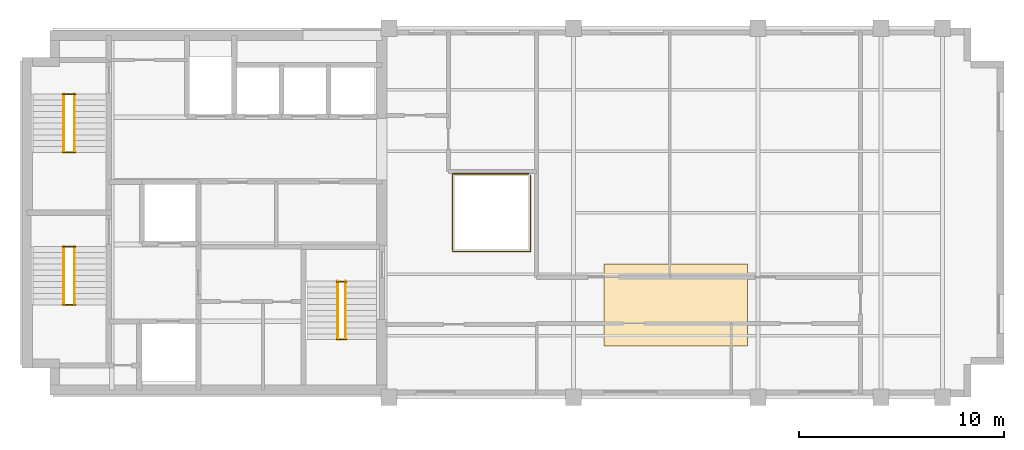
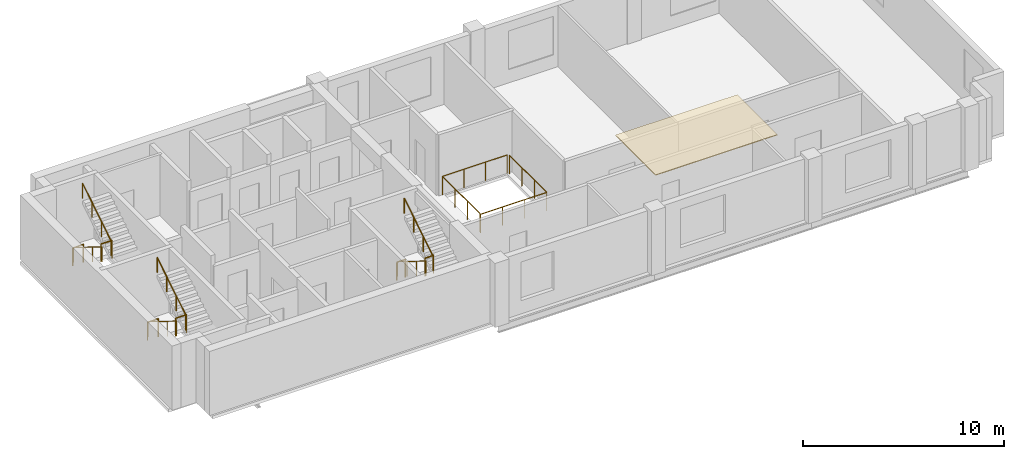
# One storey, part 5 of 5: 14 railings, 1 covering.
"""IFC4 building model written with IfcOpenShell, lengths in metres."""

from ifc_helpers import new_model, si_unit, direction, frame, origin, origin_2d, place, context, subcontext, project, spatial, polyline, circle, outline, extrude, material, layer, layer_set, type_object, element, save


model = new_model("IFC4")

# Units and contexts
model_context = context("Model", 3, precision=1e-05, world=origin(), true_north=direction((0.0, 1.0)))
body_context = subcontext(model_context, "Body", "Model", "MODEL_VIEW")
ifc_project = project(units=[si_unit("LENGTHUNIT", "METRE"), si_unit("AREAUNIT", "SQUARE_METRE"), si_unit("VOLUMEUNIT", "CUBIC_METRE"), si_unit("PLANEANGLEUNIT", "RADIAN"), si_unit("MASSUNIT", "GRAM", prefix="KILO")], contexts=[model_context])

# Site, building, storey
site_placement = place(None, origin())
site = spatial("IfcSite", under=ifc_project, at=site_placement, CompositionType="ELEMENT")
building_placement = place(site_placement, origin())
building = spatial("IfcBuilding", under=site, at=building_placement, Name="Mawjdan Bourse Tower", CompositionType="ELEMENT")
storey_placement = place(building_placement, frame((0.0, 0.0, 258.60009765625)))
storey = spatial("IfcBuildingStorey", under=building, at=storey_placement, Name="L63", CompositionType="ELEMENT", Elevation=258.60009765625)

# Covering
ifc_material_1 = material(Name="Perforated Mineral-Fibre Acoustic Ceiling")
ifc_layer = layer(ifc_material_1, 0.044921875)
ifc_layer_set = layer_set([ifc_layer], Name="Perforated Mineral-Fibre Acoustic Ceiling")
covering_type = type_object("IfcCoveringType", Name="COV-CLG-AC", PredefinedType="CEILING", material=ifc_layer_set)
covering_placement = place(storey_placement, frame((0.0, 0.0, 3.669921875)))
element("IfcCovering", 1, at=covering_placement, inside=storey, type_object=covering_type, Name="L63 Suspended Acoustic Ceiling", PredefinedType="CEILING", context=body_context, shape_type="SweptSolid", body=[
    extrude(outline(polyline([(34.5, 5.5), (41.5, 5.5), (41.5, 9.5), (34.5, 9.5), (34.5, 5.5)])), origin(), (0.0, 0.0, 1.0), 0.044921875),
])

# Railings
ifc_material_2 = material(Name="Stainless Steel and Laminated Glass", Category="steel")
railing_type_1 = type_object("IfcRailingType", Name="RLG-BAL-1150", PredefinedType="BALUSTRADE", material=ifc_material_2)
railing_1_placement = place(storey_placement, frame((27.10009765625, 10.10009765625, 0.0)))
element("IfcRailing", 2, at=railing_1_placement, inside=storey, type_object=railing_type_1, Name="L63 Summit Atrium Lightwell Balustrade SE", PredefinedType="BALUSTRADE", context=body_context, shape_type="SweptSolid", body=[
    extrude(circle(Radius=0.02685546875, at=origin_2d()), frame((0.0, 0.0, 1.123046875), z_axis=(1.0, 0.0, 0.0), x_axis=(0.0, 1.0, 0.0)), (0.0, 0.0, 1.0), 3.7998046875),
    extrude(circle(Radius=0.02685546875, at=origin_2d()), frame((3.7998046875, 0.0, 1.123046875), z_axis=(0.0, 1.0, 0.0), x_axis=(-1.0, 0.0, 0.0)), (0.0, 0.0, 1.0), 3.719970703125),
    extrude(circle(Radius=0.02294921875, at=origin_2d()), origin(), (0.0, 0.0, 1.0), 1.095947265625),
    extrude(circle(Radius=0.02294921875, at=origin_2d()), frame((1.2666015625, 0.0, 0.0)), (0.0, 0.0, 1.0), 1.095947265625),
    extrude(circle(Radius=0.02294921875, at=origin_2d()), frame((2.533203125, 0.0, 0.0)), (0.0, 0.0, 1.0), 1.095947265625),
    extrude(circle(Radius=0.02294921875, at=origin_2d()), frame((3.7998046875, 0.0, 0.0)), (0.0, 0.0, 1.0), 1.095947265625),
    extrude(circle(Radius=0.02294921875, at=origin_2d()), frame((3.7998046875, 1.239990234375, 0.0)), (0.0, 0.0, 1.0), 1.095947265625),
    extrude(circle(Radius=0.02294921875, at=origin_2d()), frame((3.7998046875, 2.47998046875, 0.0)), (0.0, 0.0, 1.0), 1.095947265625),
    extrude(circle(Radius=0.02294921875, at=origin_2d()), frame((3.7998046875, 3.719970703125, 0.0)), (0.0, 0.0, 1.0), 1.095947265625),
])
railing_2_placement = place(storey_placement, frame((30.820068359375, 13.89990234375, 0.0)))
element("IfcRailing", 3, at=railing_2_placement, inside=storey, type_object=railing_type_1, Name="L63 Summit Atrium Lightwell Balustrade NW", PredefinedType="BALUSTRADE", context=body_context, shape_type="SweptSolid", body=[
    extrude(circle(Radius=0.02685546875, at=origin_2d()), frame((0.0, 0.0, 1.123046875), z_axis=(-1.0, 0.0, 0.0), x_axis=(0.0, -1.0, 0.0)), (0.0, 0.0, 1.0), 3.719970703125),
    extrude(circle(Radius=0.02685546875, at=origin_2d()), frame((-3.719970703125, 0.0, 1.123046875), z_axis=(0.0, -1.0, 0.0), x_axis=(1.0, 0.0, 0.0)), (0.0, 0.0, 1.0), 3.719970703125),
    extrude(circle(Radius=0.02294921875, at=origin_2d()), origin(), (0.0, 0.0, 1.0), 1.095947265625),
    extrude(circle(Radius=0.02294921875, at=origin_2d()), frame((-1.239990234375, 0.0, 0.0)), (0.0, 0.0, 1.0), 1.095947265625),
    extrude(circle(Radius=0.02294921875, at=origin_2d()), frame((-2.47998046875, 0.0, 0.0)), (0.0, 0.0, 1.0), 1.095947265625),
    extrude(circle(Radius=0.02294921875, at=origin_2d()), frame((-3.719970703125, 0.0, 0.0)), (0.0, 0.0, 1.0), 1.095947265625),
    extrude(circle(Radius=0.02294921875, at=origin_2d()), frame((-3.719970703125, -1.239990234375, 0.0)), (0.0, 0.0, 1.0), 1.095947265625),
    extrude(circle(Radius=0.02294921875, at=origin_2d()), frame((-3.719970703125, -2.47998046875, 0.0)), (0.0, 0.0, 1.0), 1.095947265625),
    extrude(circle(Radius=0.02294921875, at=origin_2d()), frame((-3.719970703125, -3.719970703125, 0.0)), (0.0, 0.0, 1.0), 1.095947265625),
])
ifc_material_3 = material(Name="Structural Steel S355", Category="steel")
railing_type_2 = type_object("IfcRailingType", Name="RLG-GRD-1100", PredefinedType="GUARDRAIL", material=ifc_material_3)
for number, where, name in (
    (4, (8.090087890625, 7.52001953125, 1.949951171875), "L63 ST1 Landing Guardrail GL-MID"),
    (5, (8.090087890625, 10.330078125, 0.0), "L63 ST1 Landing Guardrail GL-BOT"),
    (6, (8.090087890625, 14.9599609375, 1.949951171875), "L63 ST2 Landing Guardrail GL-MID"),
    (7, (8.090087890625, 17.77001953125, 0.0), "L63 ST2 Landing Guardrail GL-BOT"),
):
    element("IfcRailing", number, at=place(storey_placement, frame(where)), inside=storey, type_object=railing_type_2, Name=name, PredefinedType="GUARDRAIL", context=body_context, shape_type="SweptSolid", body=[
        extrude(circle(Radius=0.02490234375, at=origin_2d()), frame((0.0, 0.0, 1.0751953125), z_axis=(1.0, 0.0, 0.0), x_axis=(0.0, 1.0, 0.0)), (0.0, 0.0, 1.0), 0.619873046875),
        extrude(circle(Radius=0.02099609375, at=origin_2d()), origin(), (0.0, 0.0, 1.0), 1.050048828125),
        extrude(circle(Radius=0.02099609375, at=origin_2d()), frame((0.619873046875, 0.0, 0.0)), (0.0, 0.0, 1.0), 1.050048828125),
    ])
for number, where, name in (
    (8, (21.43994140625, 5.830078125, 1.949951171875), "L63 ST7 Landing Guardrail GL-MID"),
    (9, (21.43994140625, 8.639892578125, 0.0), "L63 ST7 Landing Guardrail GL-BOT"),
):
    element("IfcRailing", number, at=place(storey_placement, frame(where)), inside=storey, type_object=railing_type_2, Name=name, PredefinedType="GUARDRAIL", context=body_context, shape_type="SweptSolid", body=[
        extrude(circle(Radius=0.02490234375, at=origin_2d()), frame((0.0, 0.0, 1.0751953125), z_axis=(1.0, 0.0, 0.0), x_axis=(0.0, 1.0, 0.0)), (0.0, 0.0, 1.0), 0.489990234375),
        extrude(circle(Radius=0.02099609375, at=origin_2d()), origin(), (0.0, 0.0, 1.0), 1.050048828125),
        extrude(circle(Radius=0.02099609375, at=origin_2d()), frame((0.489990234375, 0.0, 0.0)), (0.0, 0.0, 1.0), 1.050048828125),
    ])
ifc_material_4 = material(Name="Brushed Stainless Steel", Category="steel")
railing_type_3 = type_object("IfcRailingType", Name="RLG-HND-920", PredefinedType="HANDRAIL", material=ifc_material_4)
railing_3_placement = place(storey_placement, frame((8.139892578125, 10.35009765625, 0.17724609375)))
element("IfcRailing", 10, at=railing_3_placement, inside=storey, type_object=railing_type_3, Name="L63 ST1 Flight Handrail HR1", PredefinedType="HANDRAIL", context=body_context, shape_type="SweptSolid", body=[
    extrude(circle(Radius=0.0224609375, at=origin_2d()), frame((0.0, 0.0, 0.8974609375), z_axis=(0.0, -0.849148672731, 0.528153890072), x_axis=(1.0, 0.0, 0.0)), (0.0, 0.0, 1.0), 3.3564453125),
    extrude(circle(Radius=0.01904296875, at=origin_2d()), origin(), (0.0, 0.0, 1.0), 0.875),
    extrude(circle(Radius=0.01904296875, at=origin_2d()), frame((0.0, -0.949951171875, 0.5908203125)), (0.0, 0.0, 1.0), 0.875),
    extrude(circle(Radius=0.01904296875, at=origin_2d()), frame((0.0, -1.900146484375, 1.181884765625)), (0.0, 0.0, 1.0), 0.875),
    extrude(circle(Radius=0.01904296875, at=origin_2d()), frame((0.0, -2.85009765625, 1.772705078125)), (0.0, 0.0, 1.0), 0.875),
])
railing_4_placement = place(storey_placement, frame((8.659912109375, 7.5, 2.127197265625)))
element("IfcRailing", 11, at=railing_4_placement, inside=storey, type_object=railing_type_3, Name="L63 ST1 Flight Handrail HR2", PredefinedType="HANDRAIL", context=body_context, shape_type="SweptSolid", body=[
    extrude(circle(Radius=0.0224609375, at=origin_2d()), frame((0.0, 0.0, 0.8974609375), z_axis=(0.0, 0.849148672731, 0.528153890072), x_axis=(-1.0, 0.0, 0.0)), (0.0, 0.0, 1.0), 3.3564453125),
    extrude(circle(Radius=0.01904296875, at=origin_2d()), origin(), (0.0, 0.0, 1.0), 0.875),
    extrude(circle(Radius=0.01904296875, at=origin_2d()), frame((0.0, 0.949951171875, 0.5908203125)), (0.0, 0.0, 1.0), 0.875),
    extrude(circle(Radius=0.01904296875, at=origin_2d()), frame((0.0, 1.900146484375, 1.181884765625)), (0.0, 0.0, 1.0), 0.875),
    extrude(circle(Radius=0.01904296875, at=origin_2d()), frame((0.0, 2.85009765625, 1.772705078125)), (0.0, 0.0, 1.0), 0.875),
])
railing_5_placement = place(storey_placement, frame((8.139892578125, 17.7900390625, 0.17724609375)))
element("IfcRailing", 12, at=railing_5_placement, inside=storey, type_object=railing_type_3, Name="L63 ST2 Flight Handrail HR1", PredefinedType="HANDRAIL", context=body_context, shape_type="SweptSolid", body=[
    extrude(circle(Radius=0.0224609375, at=origin_2d()), frame((0.0, 0.0, 0.8974609375), z_axis=(0.0, -0.849148672731, 0.528153890072), x_axis=(1.0, 0.0, 0.0)), (0.0, 0.0, 1.0), 3.3564453125),
    extrude(circle(Radius=0.01904296875, at=origin_2d()), origin(), (0.0, 0.0, 1.0), 0.875),
    extrude(circle(Radius=0.01904296875, at=origin_2d()), frame((0.0, -0.949951171875, 0.5908203125)), (0.0, 0.0, 1.0), 0.875),
    extrude(circle(Radius=0.01904296875, at=origin_2d()), frame((0.0, -1.900146484375, 1.181884765625)), (0.0, 0.0, 1.0), 0.875),
    extrude(circle(Radius=0.01904296875, at=origin_2d()), frame((0.0, -2.85009765625, 1.772705078125)), (0.0, 0.0, 1.0), 0.875),
])
railing_6_placement = place(storey_placement, frame((8.659912109375, 14.93994140625, 2.127197265625)))
element("IfcRailing", 13, at=railing_6_placement, inside=storey, type_object=railing_type_3, Name="L63 ST2 Flight Handrail HR2", PredefinedType="HANDRAIL", context=body_context, shape_type="SweptSolid", body=[
    extrude(circle(Radius=0.0224609375, at=origin_2d()), frame((0.0, 0.0, 0.8974609375), z_axis=(0.0, 0.849148672731, 0.528153890072), x_axis=(-1.0, 0.0, 0.0)), (0.0, 0.0, 1.0), 3.3564453125),
    extrude(circle(Radius=0.01904296875, at=origin_2d()), origin(), (0.0, 0.0, 1.0), 0.875),
    extrude(circle(Radius=0.01904296875, at=origin_2d()), frame((0.0, 0.949951171875, 0.5908203125)), (0.0, 0.0, 1.0), 0.875),
    extrude(circle(Radius=0.01904296875, at=origin_2d()), frame((0.0, 1.900146484375, 1.181884765625)), (0.0, 0.0, 1.0), 0.875),
    extrude(circle(Radius=0.01904296875, at=origin_2d()), frame((0.0, 2.85009765625, 1.772705078125)), (0.0, 0.0, 1.0), 0.875),
])
railing_7_placement = place(storey_placement, frame((21.489990234375, 8.659912109375, 0.17724609375)))
element("IfcRailing", 14, at=railing_7_placement, inside=storey, type_object=railing_type_3, Name="L63 ST7 Flight Handrail HR1", PredefinedType="HANDRAIL", context=body_context, shape_type="SweptSolid", body=[
    extrude(circle(Radius=0.0224609375, at=origin_2d()), frame((0.0, 0.0, 0.8974609375), z_axis=(0.0, -0.849128380713, 0.528186513523), x_axis=(1.0, 0.0, 0.0)), (0.0, 0.0, 1.0), 3.356201171875),
    extrude(circle(Radius=0.01904296875, at=origin_2d()), origin(), (0.0, 0.0, 1.0), 0.875),
    extrude(circle(Radius=0.01904296875, at=origin_2d()), frame((0.0, -0.949951171875, 0.5908203125)), (0.0, 0.0, 1.0), 0.875),
    extrude(circle(Radius=0.01904296875, at=origin_2d()), frame((0.0, -1.89990234375, 1.181884765625)), (0.0, 0.0, 1.0), 0.875),
    extrude(circle(Radius=0.01904296875, at=origin_2d()), frame((0.0, -2.849853515625, 1.772705078125)), (0.0, 0.0, 1.0), 0.875),
])
railing_8_placement = place(storey_placement, frame((21.8798828125, 5.81005859375, 2.127197265625)))
element("IfcRailing", 15, at=railing_8_placement, inside=storey, type_object=railing_type_3, Name="L63 ST7 Flight Handrail HR2", PredefinedType="HANDRAIL", context=body_context, shape_type="SweptSolid", body=[
    extrude(circle(Radius=0.0224609375, at=origin_2d()), frame((0.0, 0.0, 0.8974609375), z_axis=(0.0, 0.849128380713, 0.528186513523), x_axis=(-1.0, 0.0, 0.0)), (0.0, 0.0, 1.0), 3.356201171875),
    extrude(circle(Radius=0.01904296875, at=origin_2d()), origin(), (0.0, 0.0, 1.0), 0.875),
    extrude(circle(Radius=0.01904296875, at=origin_2d()), frame((0.0, 0.949951171875, 0.5908203125)), (0.0, 0.0, 1.0), 0.875),
    extrude(circle(Radius=0.01904296875, at=origin_2d()), frame((0.0, 1.89990234375, 1.181884765625)), (0.0, 0.0, 1.0), 0.875),
    extrude(circle(Radius=0.01904296875, at=origin_2d()), frame((0.0, 2.849853515625, 1.772705078125)), (0.0, 0.0, 1.0), 0.875),
])

save(model, "model.ifc")
